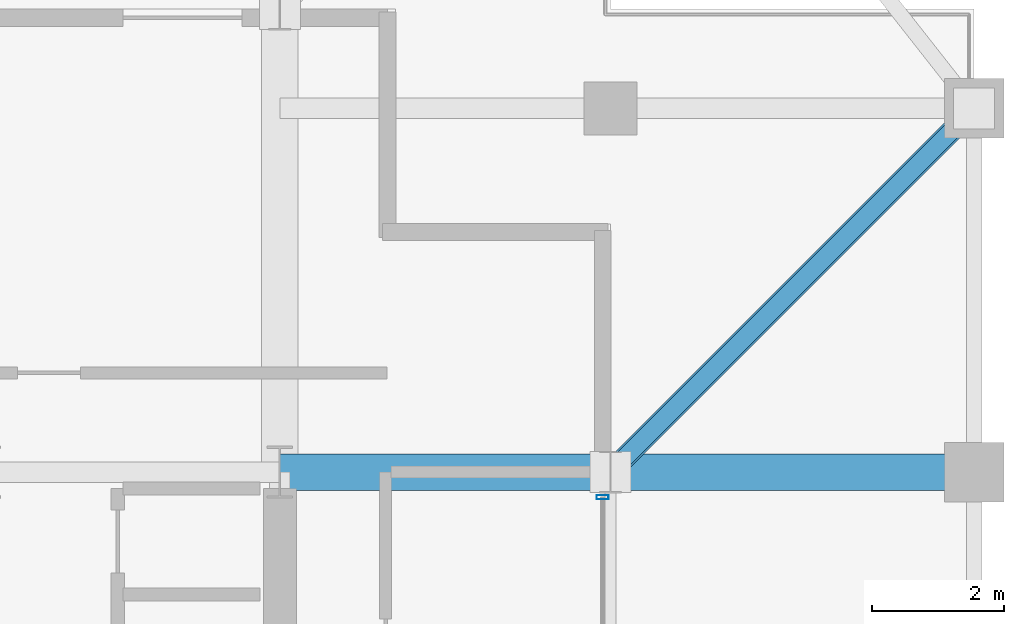
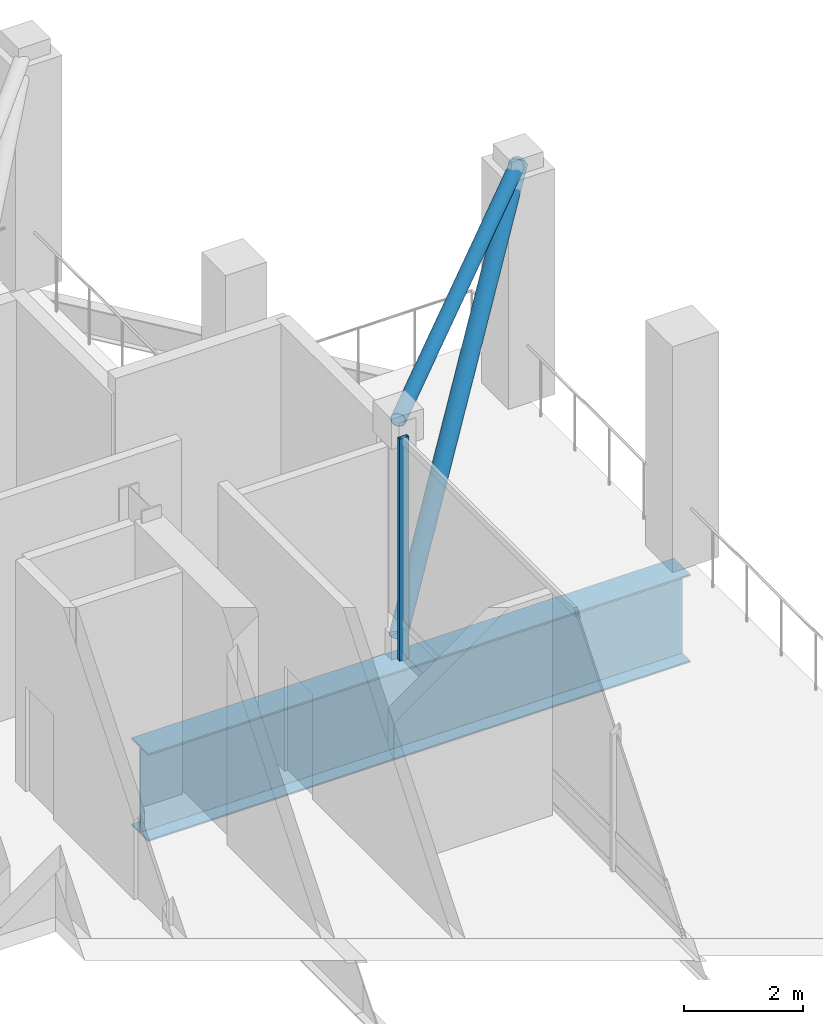
# One storey, part 10 of 17: 3 members, 1 beam, 1 element without a shape of its own.
"""IFC4 building model written with IfcOpenShell, lengths in metres."""

from ifc_helpers import new_model, si_unit, direction, frame, origin, origin_2d, place, context, subcontext, project, spatial, hollow_rectangle, hollow_circle, i_section, extrude, material, layer, layer_set, material_profile, profile_set, type_object, element, aggregate, save


model = new_model("IFC4")

# Units and contexts
model_context = context("Model", 3, precision=1e-05, world=origin(), true_north=direction((0.0, 1.0)))
body_context = subcontext(model_context, "Body", "Model", "MODEL_VIEW")
ifc_project = project(units=[si_unit("LENGTHUNIT", "METRE"), si_unit("AREAUNIT", "SQUARE_METRE"), si_unit("VOLUMEUNIT", "CUBIC_METRE"), si_unit("PLANEANGLEUNIT", "RADIAN"), si_unit("MASSUNIT", "GRAM", prefix="KILO")], contexts=[model_context])

# Site, building, storey
site_placement = place(None, origin())
site = spatial("IfcSite", under=ifc_project, at=site_placement, CompositionType="ELEMENT")
building_placement = place(site_placement, origin())
building = spatial("IfcBuilding", under=site, at=building_placement, Name="Barlavira Tower and Art Museum", CompositionType="ELEMENT")
storey_placement = place(building_placement, frame((0.0, 0.0, 305.10009765625)))
storey = spatial("IfcBuildingStorey", under=building, at=storey_placement, Name="L80", CompositionType="ELEMENT", Elevation=305.10009765625)

# Curtain wall, member
ifc_material_1 = material(Name="Low-iron coastal laminated glass", Category="glass")
ifc_layer = layer(ifc_material_1, 0.22998046875, Name="Low-iron coastal laminated glass")
ifc_layer_set = layer_set([ifc_layer], Name="Low-iron coastal laminated glass")
curtain_wall_type = type_object("IfcCurtainWallType", Name="Winter-Garden Conservatory Glazed Curtain Wall", PredefinedType="NOTDEFINED", material=ifc_layer_set)
curtain_wall_placement = place(storey_placement, origin())
curtain_wall = element("IfcCurtainWall", 1, at=curtain_wall_placement, inside=storey, type_object=curtain_wall_type, Name="L80 Curtain Wall CW7-L80-E-B2", PredefinedType="NOTDEFINED")
ifc_material_2 = material(Name="Pale anodised aluminium", Category="aluminium")
ifc_material_profile_1 = material_profile(ifc_material_2, hollow_rectangle(XDim=0.06494140625, YDim=0.179931640625, WallThickness=0.00390625, at=origin_2d()), Name="ALU-MULL 65x180x4")
ifc_profile_set_1 = profile_set([ifc_material_profile_1], Name="Pale anodised aluminium")
member_type_1 = type_object("IfcMemberType", Name="Curtain Wall Pale-Metal Mullion 65x180", PredefinedType="MULLION", material=ifc_profile_set_1)
member_1_placement = place(storey_placement, frame((11.3798828125, 7.12060546875, 0.0), z_axis=(0.0, 0.0, 1.0), x_axis=(0.0, 1.0, 0.0)))
member_1 = element("IfcMember", 2, at=member_1_placement, type_object=member_type_1, Name="CW7-L80-E-B2 Mullion 2", PredefinedType="MULLION", context=body_context, shape_type="SweptSolid", body=[
    extrude(hollow_rectangle(XDim=0.06494140625, YDim=0.179931640625, WallThickness=0.00390625, at=origin_2d()), origin(), (0.0, 0.0, 1.0), 4.5498046875),
])
aggregate(curtain_wall, [member_1])

# Members
ifc_material_3 = material(Name="Steel S355", Category="steel")
ifc_material_profile_2 = material_profile(ifc_material_3, hollow_circle(Radius=0.136474609375, WallThickness=0.012451171875, at=origin_2d()), Name="CHS 273.0x12.5")
ifc_profile_set_2 = profile_set([ifc_material_profile_2], Name="Steel S355")
member_type_2 = type_object("IfcMemberType", Name="Pale-Metal Canopy Tie Strut CHS 273x12.5 Steel S355", PredefinedType="STRUT", material=ifc_profile_set_2)
member_2_placement = place(storey_placement, frame((11.5, 7.5, 4.619873046875), z_axis=(0.707106781187, 0.707106781187, 0.0), x_axis=(-0.707106781187, 0.707106781187, 0.0)))
element("IfcMember", 3, at=member_2_placement, inside=storey, type_object=member_type_2, Name="L80 Lookout Canopy Horizontal Tie 4", PredefinedType="STRUT", context=body_context, shape_type="SweptSolid", body=[
    extrude(hollow_circle(Radius=0.136474609375, WallThickness=0.012451171875, at=origin_2d()), origin(), (0.0, 0.0, 1.0), 7.778076171875),
])
ifc_material_profile_3 = material_profile(ifc_material_3, hollow_circle(Radius=0.161865234375, WallThickness=0.01611328125, at=origin_2d()), Name="CHS 323.9x16.0")
ifc_profile_set_3 = profile_set([ifc_material_profile_3], Name="Steel S355")
member_type_3 = type_object("IfcMemberType", Name="Pale-Metal Crown Diagrid Tube CHS 324x16 Steel S355", PredefinedType="BRACE", material=ifc_profile_set_3)
member_3_placement = place(storey_placement, frame((11.5, 7.5, 0.199951171875), z_axis=(0.614781499952, 0.614781499952, 0.494052036361), x_axis=(-0.707106781187, 0.707106781187, 0.0)))
element("IfcMember", 4, at=member_3_placement, inside=storey, type_object=member_type_3, Name="L80 Lookout Canopy Raking Strut 4", PredefinedType="BRACE", context=body_context, shape_type="SweptSolid", body=[
    extrude(hollow_circle(Radius=0.161865234375, WallThickness=0.01611328125, at=origin_2d()), origin(), (0.0, 0.0, 1.0), 8.9462890625),
])

# Beam
ifc_material_profile_4 = material_profile(ifc_material_3, i_section(OverallWidth=0.550048828125, OverallDepth=1.800048828125, WebThickness=0.02587890625, FlangeThickness=0.033935546875, at=origin_2d()), Name="CVS1800x520")
ifc_profile_set_4 = profile_set([ifc_material_profile_4], Name="Steel S355")
beam_type = type_object("IfcBeamType", Name="Zone Setback Transfer Girder CVS1800x520 Steel S355", PredefinedType="USERDEFINED", material=ifc_profile_set_4)
beam_placement = place(storey_placement, frame((6.5, 7.5, -1.2001953125), z_axis=(1.0, 0.0, 0.0), x_axis=(0.0, 1.0, 0.0)))
element("IfcBeam", 5, at=beam_placement, inside=storey, type_object=beam_type, Name="L80 Crown Transfer Girder TG80-12", ObjectType="TRANSFER GIRDER", PredefinedType="USERDEFINED", context=body_context, shape_type="SweptSolid", body=[
    extrude(i_section(OverallWidth=0.550048828125, OverallDepth=1.800048828125, WebThickness=0.02587890625, FlangeThickness=0.033935546875, at=origin_2d()), origin(), (0.0, 0.0, 1.0), 10.5),
])

save(model, "model.ifc")
